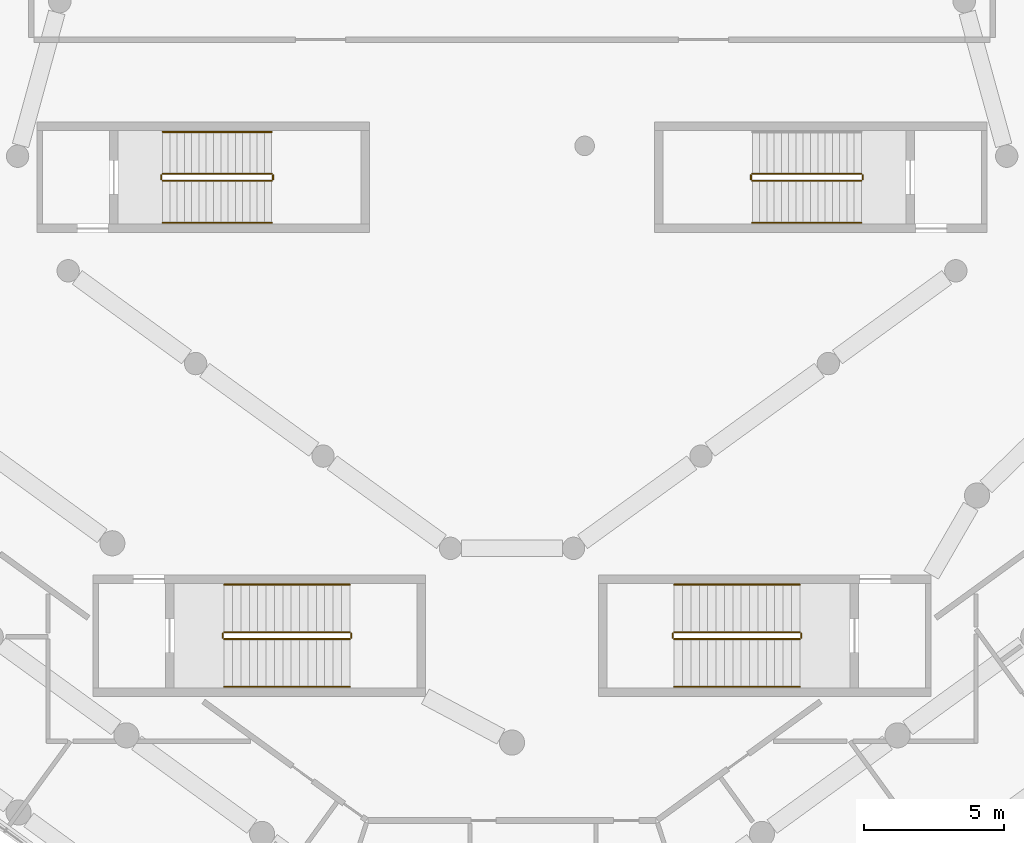
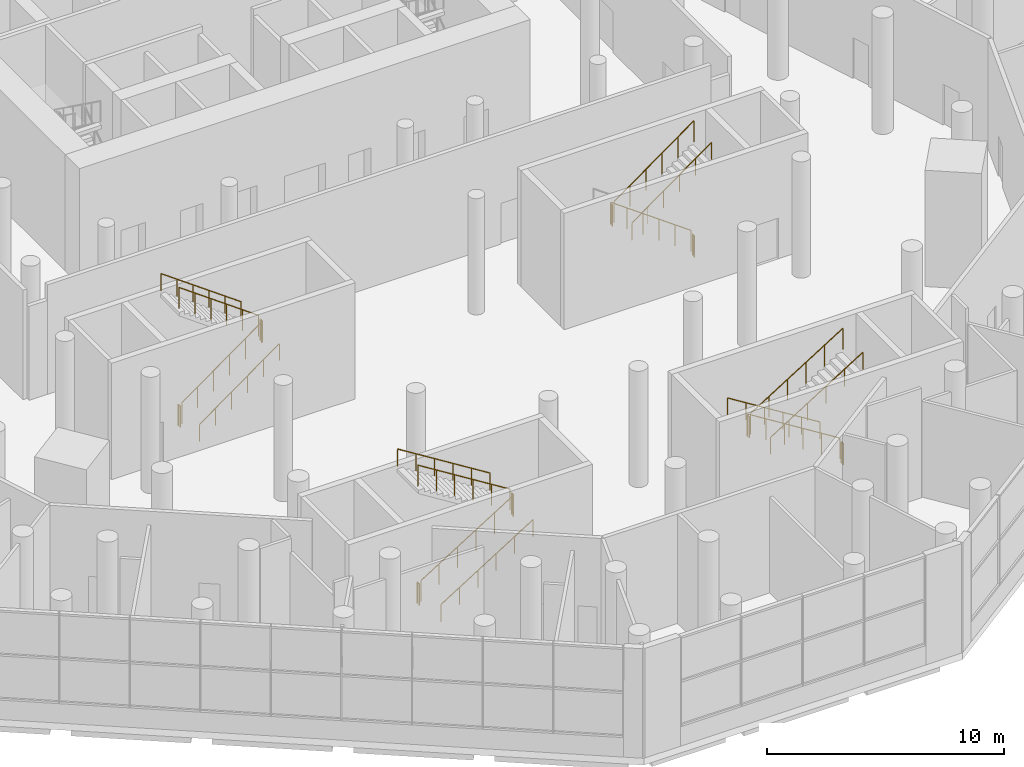
# One storey, part 17 of 19: 23 railings.
"""IFC4 building model written with IfcOpenShell, lengths in metres."""

from ifc_helpers import new_model, si_unit, direction, frame, origin, origin_2d, place, context, subcontext, project, spatial, circle, extrude, material, type_object, element, save


model = new_model("IFC4")

# Units and contexts
model_context = context("Model", 3, precision=1e-05, world=origin(), true_north=direction((0.0, 1.0)))
body_context = subcontext(model_context, "Body", "Model", "MODEL_VIEW")
ifc_project = project(units=[si_unit("LENGTHUNIT", "METRE"), si_unit("AREAUNIT", "SQUARE_METRE"), si_unit("VOLUMEUNIT", "CUBIC_METRE"), si_unit("PLANEANGLEUNIT", "RADIAN"), si_unit("MASSUNIT", "GRAM", prefix="KILO")], contexts=[model_context])

# Site, building, storey
site_placement = place(None, origin())
site = spatial("IfcSite", under=ifc_project, at=site_placement, CompositionType="ELEMENT")
building_placement = place(site_placement, origin())
building = spatial("IfcBuilding", under=site, at=building_placement, Name="White Candle Pilgrim Tower", CompositionType="ELEMENT")
storey_placement = place(building_placement, frame((0.0, 0.0, 23.0)))
storey = spatial("IfcBuildingStorey", under=building, at=storey_placement, Name="L03", CompositionType="ELEMENT", Elevation=23.0)

# Railings
ifc_material = material(Name="Stainless steel", Category="steel")
railing_type_1 = type_object("IfcRailingType", Name="Stair guard stainless steel 1100 mm", PredefinedType="GUARDRAIL", material=ifc_material)
railing_1_placement = place(storey_placement, frame((82.5, 60.0, 0.1875)))
element("IfcRailing", 1, at=railing_1_placement, inside=storey, type_object=railing_type_1, Name="L03 ST4 stair guard 1", PredefinedType="GUARDRAIL", context=body_context, shape_type="SweptSolid", body=[
    extrude(circle(Radius=0.02392578125, at=origin_2d()), frame((0.0, 0.0, 1.076171875), z_axis=(-0.811083382981, 0.0, 0.584930547887), x_axis=(0.0, -1.0, 0.0)), (0.0, 0.0, 1.0), 4.808349609375),
    extrude(circle(Radius=0.02099609375, at=origin_2d()), origin(), (0.0, 0.0, 1.0), 1.052001953125),
    extrude(circle(Radius=0.02099609375, at=origin_2d()), frame((-0.780029296875, 0.0, 0.5625)), (0.0, 0.0, 1.0), 1.052001953125),
    extrude(circle(Radius=0.02099609375, at=origin_2d()), frame((-1.56005859375, 0.0, 1.125)), (0.0, 0.0, 1.0), 1.052001953125),
    extrude(circle(Radius=0.02099609375, at=origin_2d()), frame((-2.33984375, 0.0, 1.6875)), (0.0, 0.0, 1.0), 1.052001953125),
    extrude(circle(Radius=0.02099609375, at=origin_2d()), frame((-3.119873046875, 0.0, 2.25)), (0.0, 0.0, 1.0), 1.052001953125),
    extrude(circle(Radius=0.02099609375, at=origin_2d()), frame((-3.89990234375, 0.0, 2.8125)), (0.0, 0.0, 1.0), 1.052001953125),
])
railing_2_placement = place(storey_placement, frame((78.550048828125, 59.949951171875, 3.0)))
element("IfcRailing", 2, at=railing_2_placement, inside=storey, type_object=railing_type_1, Name="L03 ST4 stair guard 2", PredefinedType="GUARDRAIL", context=body_context, shape_type="SweptSolid", body=[
    extrude(circle(Radius=0.02392578125, at=origin_2d()), frame((0.0, 0.0, 1.076171875), z_axis=(0.0, -1.0, 0.0), x_axis=(1.0, 0.0, 0.0)), (0.0, 0.0, 1.0), 0.14990234375),
    extrude(circle(Radius=0.02099609375, at=origin_2d()), origin(), (0.0, 0.0, 1.0), 1.052001953125),
    extrude(circle(Radius=0.02099609375, at=origin_2d()), frame((0.0, -0.14990234375, 0.0)), (0.0, 0.0, 1.0), 1.052001953125),
])
railing_3_placement = place(storey_placement, frame((78.60009765625, 59.75, 3.1875)))
element("IfcRailing", 3, at=railing_3_placement, inside=storey, type_object=railing_type_1, Name="L03 ST4 stair guard 3", PredefinedType="GUARDRAIL", context=body_context, shape_type="SweptSolid", body=[
    extrude(circle(Radius=0.02392578125, at=origin_2d()), frame((0.0, 0.0, 1.076171875), z_axis=(0.811083382981, 0.0, 0.584930547887), x_axis=(0.0, 1.0, 0.0)), (0.0, 0.0, 1.0), 4.808349609375),
    extrude(circle(Radius=0.02099609375, at=origin_2d()), origin(), (0.0, 0.0, 1.0), 1.052001953125),
    extrude(circle(Radius=0.02099609375, at=origin_2d()), frame((0.780029296875, 0.0, 0.5625)), (0.0, 0.0, 1.0), 1.052001953125),
    extrude(circle(Radius=0.02099609375, at=origin_2d()), frame((1.56005859375, 0.0, 1.125)), (0.0, 0.0, 1.0), 1.052001953125),
    extrude(circle(Radius=0.02099609375, at=origin_2d()), frame((2.33984375, 0.0, 1.6875)), (0.0, 0.0, 1.0), 1.052001953125),
    extrude(circle(Radius=0.02099609375, at=origin_2d()), frame((3.119873046875, 0.0, 2.25)), (0.0, 0.0, 1.0), 1.052001953125),
    extrude(circle(Radius=0.02099609375, at=origin_2d()), frame((3.89990234375, 0.0, 2.8125)), (0.0, 0.0, 1.0), 1.052001953125),
])
railing_4_placement = place(storey_placement, frame((82.550048828125, 59.949951171875, 0.0)))
element("IfcRailing", 4, at=railing_4_placement, inside=storey, type_object=railing_type_1, Name="L03 ST4 stair guard 4", PredefinedType="GUARDRAIL", context=body_context, shape_type="SweptSolid", body=[
    extrude(circle(Radius=0.02392578125, at=origin_2d()), frame((0.0, 0.0, 1.076171875), z_axis=(0.0, -1.0, 0.0), x_axis=(1.0, 0.0, 0.0)), (0.0, 0.0, 1.0), 0.14990234375),
    extrude(circle(Radius=0.02099609375, at=origin_2d()), origin(), (0.0, 0.0, 1.0), 1.052001953125),
    extrude(circle(Radius=0.02099609375, at=origin_2d()), frame((0.0, -0.14990234375, 0.0)), (0.0, 0.0, 1.0), 1.052001953125),
])
railing_5_placement = place(storey_placement, frame((57.5, 59.75, 0.1875)))
element("IfcRailing", 5, at=railing_5_placement, inside=storey, type_object=railing_type_1, Name="L03 ST5 stair guard 1", PredefinedType="GUARDRAIL", context=body_context, shape_type="SweptSolid", body=[
    extrude(circle(Radius=0.02392578125, at=origin_2d()), frame((0.0, 0.0, 1.076171875), z_axis=(0.811083382981, 0.0, 0.584930547887), x_axis=(0.0, 1.0, 0.0)), (0.0, 0.0, 1.0), 4.808349609375),
    extrude(circle(Radius=0.02099609375, at=origin_2d()), origin(), (0.0, 0.0, 1.0), 1.052001953125),
    extrude(circle(Radius=0.02099609375, at=origin_2d()), frame((0.780029296875, 0.0, 0.5625)), (0.0, 0.0, 1.0), 1.052001953125),
    extrude(circle(Radius=0.02099609375, at=origin_2d()), frame((1.56005859375, 0.0, 1.125)), (0.0, 0.0, 1.0), 1.052001953125),
    extrude(circle(Radius=0.02099609375, at=origin_2d()), frame((2.33984375, 0.0, 1.6875)), (0.0, 0.0, 1.0), 1.052001953125),
    extrude(circle(Radius=0.02099609375, at=origin_2d()), frame((3.119873046875, 0.0, 2.25)), (0.0, 0.0, 1.0), 1.052001953125),
    extrude(circle(Radius=0.02099609375, at=origin_2d()), frame((3.89990234375, 0.0, 2.8125)), (0.0, 0.0, 1.0), 1.052001953125),
])
railing_6_placement = place(storey_placement, frame((61.449951171875, 59.800048828125, 3.0)))
element("IfcRailing", 6, at=railing_6_placement, inside=storey, type_object=railing_type_1, Name="L03 ST5 stair guard 2", PredefinedType="GUARDRAIL", context=body_context, shape_type="SweptSolid", body=[
    extrude(circle(Radius=0.02392578125, at=origin_2d()), frame((0.0, 0.0, 1.076171875), z_axis=(0.0, 1.0, 0.0), x_axis=(-1.0, 0.0, 0.0)), (0.0, 0.0, 1.0), 0.14990234375),
    extrude(circle(Radius=0.02099609375, at=origin_2d()), origin(), (0.0, 0.0, 1.0), 1.052001953125),
    extrude(circle(Radius=0.02099609375, at=origin_2d()), frame((0.0, 0.14990234375, 0.0)), (0.0, 0.0, 1.0), 1.052001953125),
])
railing_7_placement = place(storey_placement, frame((61.39990234375, 60.0, 3.1875)))
element("IfcRailing", 7, at=railing_7_placement, inside=storey, type_object=railing_type_1, Name="L03 ST5 stair guard 3", PredefinedType="GUARDRAIL", context=body_context, shape_type="SweptSolid", body=[
    extrude(circle(Radius=0.02392578125, at=origin_2d()), frame((0.0, 0.0, 1.076171875), z_axis=(-0.811083382981, 0.0, 0.584930547887), x_axis=(0.0, -1.0, 0.0)), (0.0, 0.0, 1.0), 4.808349609375),
    extrude(circle(Radius=0.02099609375, at=origin_2d()), origin(), (0.0, 0.0, 1.0), 1.052001953125),
    extrude(circle(Radius=0.02099609375, at=origin_2d()), frame((-0.780029296875, 0.0, 0.5625)), (0.0, 0.0, 1.0), 1.052001953125),
    extrude(circle(Radius=0.02099609375, at=origin_2d()), frame((-1.56005859375, 0.0, 1.125)), (0.0, 0.0, 1.0), 1.052001953125),
    extrude(circle(Radius=0.02099609375, at=origin_2d()), frame((-2.33984375, 0.0, 1.6875)), (0.0, 0.0, 1.0), 1.052001953125),
    extrude(circle(Radius=0.02099609375, at=origin_2d()), frame((-3.119873046875, 0.0, 2.25)), (0.0, 0.0, 1.0), 1.052001953125),
    extrude(circle(Radius=0.02099609375, at=origin_2d()), frame((-3.89990234375, 0.0, 2.8125)), (0.0, 0.0, 1.0), 1.052001953125),
])
railing_8_placement = place(storey_placement, frame((57.449951171875, 59.800048828125, 0.0)))
element("IfcRailing", 8, at=railing_8_placement, inside=storey, type_object=railing_type_1, Name="L03 ST5 stair guard 4", PredefinedType="GUARDRAIL", context=body_context, shape_type="SweptSolid", body=[
    extrude(circle(Radius=0.02392578125, at=origin_2d()), frame((0.0, 0.0, 1.076171875), z_axis=(0.0, 1.0, 0.0), x_axis=(-1.0, 0.0, 0.0)), (0.0, 0.0, 1.0), 0.14990234375),
    extrude(circle(Radius=0.02099609375, at=origin_2d()), origin(), (0.0, 0.0, 1.0), 1.052001953125),
    extrude(circle(Radius=0.02099609375, at=origin_2d()), frame((0.0, 0.14990234375, 0.0)), (0.0, 0.0, 1.0), 1.052001953125),
])
railing_9_placement = place(storey_placement, frame((59.699951171875, 43.35009765625, 0.1875)))
element("IfcRailing", 9, at=railing_9_placement, inside=storey, type_object=railing_type_1, Name="L03 ST6 stair guard 1", PredefinedType="GUARDRAIL", context=body_context, shape_type="SweptSolid", body=[
    extrude(circle(Radius=0.02392578125, at=origin_2d()), frame((0.0, 0.0, 1.076171875), z_axis=(0.847998304005, 0.0, 0.529998940003), x_axis=(0.0, 1.0, 0.0)), (0.0, 0.0, 1.0), 5.306640625),
    extrude(circle(Radius=0.02099609375, at=origin_2d()), origin(), (0.0, 0.0, 1.0), 1.052001953125),
    extrude(circle(Radius=0.02099609375, at=origin_2d()), frame((0.89990234375, 0.0, 0.5625)), (0.0, 0.0, 1.0), 1.052001953125),
    extrude(circle(Radius=0.02099609375, at=origin_2d()), frame((1.800048828125, 0.0, 1.125)), (0.0, 0.0, 1.0), 1.052001953125),
    extrude(circle(Radius=0.02099609375, at=origin_2d()), frame((2.699951171875, 0.0, 1.6875)), (0.0, 0.0, 1.0), 1.052001953125),
    extrude(circle(Radius=0.02099609375, at=origin_2d()), frame((3.60009765625, 0.0, 2.25)), (0.0, 0.0, 1.0), 1.052001953125),
    extrude(circle(Radius=0.02099609375, at=origin_2d()), frame((4.5, 0.0, 2.8125)), (0.0, 0.0, 1.0), 1.052001953125),
])
railing_10_placement = place(storey_placement, frame((64.25, 43.39990234375, 3.0)))
element("IfcRailing", 10, at=railing_10_placement, inside=storey, type_object=railing_type_1, Name="L03 ST6 stair guard 2", PredefinedType="GUARDRAIL", context=body_context, shape_type="SweptSolid", body=[
    extrude(circle(Radius=0.02392578125, at=origin_2d()), frame((0.0, 0.0, 1.076171875), z_axis=(0.0, 1.0, 0.0), x_axis=(-1.0, 0.0, 0.0)), (0.0, 0.0, 1.0), 0.150146484375),
    extrude(circle(Radius=0.02099609375, at=origin_2d()), origin(), (0.0, 0.0, 1.0), 1.052001953125),
    extrude(circle(Radius=0.02099609375, at=origin_2d()), frame((0.0, 0.150146484375, 0.0)), (0.0, 0.0, 1.0), 1.052001953125),
])
railing_11_placement = place(storey_placement, frame((64.199951171875, 43.60009765625, 3.1875)))
element("IfcRailing", 11, at=railing_11_placement, inside=storey, type_object=railing_type_1, Name="L03 ST6 stair guard 3", PredefinedType="GUARDRAIL", context=body_context, shape_type="SweptSolid", body=[
    extrude(circle(Radius=0.02392578125, at=origin_2d()), frame((0.0, 0.0, 1.076171875), z_axis=(-0.847998304005, 0.0, 0.529998940003), x_axis=(0.0, -1.0, 0.0)), (0.0, 0.0, 1.0), 5.306640625),
    extrude(circle(Radius=0.02099609375, at=origin_2d()), origin(), (0.0, 0.0, 1.0), 1.052001953125),
    extrude(circle(Radius=0.02099609375, at=origin_2d()), frame((-0.89990234375, 0.0, 0.5625)), (0.0, 0.0, 1.0), 1.052001953125),
    extrude(circle(Radius=0.02099609375, at=origin_2d()), frame((-1.800048828125, 0.0, 1.125)), (0.0, 0.0, 1.0), 1.052001953125),
    extrude(circle(Radius=0.02099609375, at=origin_2d()), frame((-2.699951171875, 0.0, 1.6875)), (0.0, 0.0, 1.0), 1.052001953125),
    extrude(circle(Radius=0.02099609375, at=origin_2d()), frame((-3.60009765625, 0.0, 2.25)), (0.0, 0.0, 1.0), 1.052001953125),
    extrude(circle(Radius=0.02099609375, at=origin_2d()), frame((-4.5, 0.0, 2.8125)), (0.0, 0.0, 1.0), 1.052001953125),
])
railing_12_placement = place(storey_placement, frame((59.64990234375, 43.39990234375, 0.0)))
element("IfcRailing", 12, at=railing_12_placement, inside=storey, type_object=railing_type_1, Name="L03 ST6 stair guard 4", PredefinedType="GUARDRAIL", context=body_context, shape_type="SweptSolid", body=[
    extrude(circle(Radius=0.02392578125, at=origin_2d()), frame((0.0, 0.0, 1.076171875), z_axis=(0.0, 1.0, 0.0), x_axis=(-1.0, 0.0, 0.0)), (0.0, 0.0, 1.0), 0.150146484375),
    extrude(circle(Radius=0.02099609375, at=origin_2d()), origin(), (0.0, 0.0, 1.0), 1.052001953125),
    extrude(circle(Radius=0.02099609375, at=origin_2d()), frame((0.0, 0.150146484375, 0.0)), (0.0, 0.0, 1.0), 1.052001953125),
])
railing_13_placement = place(storey_placement, frame((80.300048828125, 43.60009765625, 0.1875)))
element("IfcRailing", 13, at=railing_13_placement, inside=storey, type_object=railing_type_1, Name="L03 ST7 stair guard 1", PredefinedType="GUARDRAIL", context=body_context, shape_type="SweptSolid", body=[
    extrude(circle(Radius=0.02392578125, at=origin_2d()), frame((0.0, 0.0, 1.076171875), z_axis=(-0.847998304005, 0.0, 0.529998940003), x_axis=(0.0, -1.0, 0.0)), (0.0, 0.0, 1.0), 5.306640625),
    extrude(circle(Radius=0.02099609375, at=origin_2d()), origin(), (0.0, 0.0, 1.0), 1.052001953125),
    extrude(circle(Radius=0.02099609375, at=origin_2d()), frame((-0.89990234375, 0.0, 0.5625)), (0.0, 0.0, 1.0), 1.052001953125),
    extrude(circle(Radius=0.02099609375, at=origin_2d()), frame((-1.800048828125, 0.0, 1.125)), (0.0, 0.0, 1.0), 1.052001953125),
    extrude(circle(Radius=0.02099609375, at=origin_2d()), frame((-2.699951171875, 0.0, 1.6875)), (0.0, 0.0, 1.0), 1.052001953125),
    extrude(circle(Radius=0.02099609375, at=origin_2d()), frame((-3.60009765625, 0.0, 2.25)), (0.0, 0.0, 1.0), 1.052001953125),
    extrude(circle(Radius=0.02099609375, at=origin_2d()), frame((-4.5, 0.0, 2.8125)), (0.0, 0.0, 1.0), 1.052001953125),
])
railing_14_placement = place(storey_placement, frame((75.75, 43.550048828125, 3.0)))
element("IfcRailing", 14, at=railing_14_placement, inside=storey, type_object=railing_type_1, Name="L03 ST7 stair guard 2", PredefinedType="GUARDRAIL", context=body_context, shape_type="SweptSolid", body=[
    extrude(circle(Radius=0.02392578125, at=origin_2d()), frame((0.0, 0.0, 1.076171875), z_axis=(0.0, -1.0, 0.0), x_axis=(1.0, 0.0, 0.0)), (0.0, 0.0, 1.0), 0.150146484375),
    extrude(circle(Radius=0.02099609375, at=origin_2d()), origin(), (0.0, 0.0, 1.0), 1.052001953125),
    extrude(circle(Radius=0.02099609375, at=origin_2d()), frame((0.0, -0.150146484375, 0.0)), (0.0, 0.0, 1.0), 1.052001953125),
])
railing_15_placement = place(storey_placement, frame((75.800048828125, 43.35009765625, 3.1875)))
element("IfcRailing", 15, at=railing_15_placement, inside=storey, type_object=railing_type_1, Name="L03 ST7 stair guard 3", PredefinedType="GUARDRAIL", context=body_context, shape_type="SweptSolid", body=[
    extrude(circle(Radius=0.02392578125, at=origin_2d()), frame((0.0, 0.0, 1.076171875), z_axis=(0.847998304005, 0.0, 0.529998940003), x_axis=(0.0, 1.0, 0.0)), (0.0, 0.0, 1.0), 5.306640625),
    extrude(circle(Radius=0.02099609375, at=origin_2d()), origin(), (0.0, 0.0, 1.0), 1.052001953125),
    extrude(circle(Radius=0.02099609375, at=origin_2d()), frame((0.89990234375, 0.0, 0.5625)), (0.0, 0.0, 1.0), 1.052001953125),
    extrude(circle(Radius=0.02099609375, at=origin_2d()), frame((1.800048828125, 0.0, 1.125)), (0.0, 0.0, 1.0), 1.052001953125),
    extrude(circle(Radius=0.02099609375, at=origin_2d()), frame((2.699951171875, 0.0, 1.6875)), (0.0, 0.0, 1.0), 1.052001953125),
    extrude(circle(Radius=0.02099609375, at=origin_2d()), frame((3.60009765625, 0.0, 2.25)), (0.0, 0.0, 1.0), 1.052001953125),
    extrude(circle(Radius=0.02099609375, at=origin_2d()), frame((4.5, 0.0, 2.8125)), (0.0, 0.0, 1.0), 1.052001953125),
])
railing_16_placement = place(storey_placement, frame((80.35009765625, 43.550048828125, 0.0)))
element("IfcRailing", 16, at=railing_16_placement, inside=storey, type_object=railing_type_1, Name="L03 ST7 stair guard 4", PredefinedType="GUARDRAIL", context=body_context, shape_type="SweptSolid", body=[
    extrude(circle(Radius=0.02392578125, at=origin_2d()), frame((0.0, 0.0, 1.076171875), z_axis=(0.0, -1.0, 0.0), x_axis=(1.0, 0.0, 0.0)), (0.0, 0.0, 1.0), 0.150146484375),
    extrude(circle(Radius=0.02099609375, at=origin_2d()), origin(), (0.0, 0.0, 1.0), 1.052001953125),
    extrude(circle(Radius=0.02099609375, at=origin_2d()), frame((0.0, -0.150146484375, 0.0)), (0.0, 0.0, 1.0), 1.052001953125),
])
railing_type_2 = type_object("IfcRailingType", Name="Stair handrail stainless steel", PredefinedType="HANDRAIL", material=ifc_material)
for number, where, name in (
    (17, (78.60009765625, 58.25, 3.1875), "L03 ST4 stair handrail 2"),
    (18, (57.5, 58.25, 0.1875), "L03 ST5 stair handrail 1"),
):
    element("IfcRailing", number, at=place(storey_placement, frame(where)), inside=storey, type_object=railing_type_2, Name=name, PredefinedType="HANDRAIL", context=body_context, shape_type="SweptSolid", body=[
        extrude(circle(Radius=0.02392578125, at=origin_2d()), frame((0.0, 0.0, 0.8759765625), z_axis=(0.811083382981, 0.0, 0.584930547887), x_axis=(0.0, 1.0, 0.0)), (0.0, 0.0, 1.0), 4.808349609375),
        extrude(circle(Radius=0.02099609375, at=origin_2d()), origin(), (0.0, 0.0, 1.0), 0.851806640625),
        extrude(circle(Radius=0.02099609375, at=origin_2d()), frame((0.780029296875, 0.0, 0.5625)), (0.0, 0.0, 1.0), 0.851806640625),
        extrude(circle(Radius=0.02099609375, at=origin_2d()), frame((1.56005859375, 0.0, 1.125)), (0.0, 0.0, 1.0), 0.851806640625),
        extrude(circle(Radius=0.02099609375, at=origin_2d()), frame((2.33984375, 0.0, 1.6875)), (0.0, 0.0, 1.0), 0.851806640625),
        extrude(circle(Radius=0.02099609375, at=origin_2d()), frame((3.119873046875, 0.0, 2.25)), (0.0, 0.0, 1.0), 0.851806640625),
        extrude(circle(Radius=0.02099609375, at=origin_2d()), frame((3.89990234375, 0.0, 2.8125)), (0.0, 0.0, 1.0), 0.851806640625),
    ])
railing_17_placement = place(storey_placement, frame((61.39990234375, 61.5, 3.1875)))
element("IfcRailing", 19, at=railing_17_placement, inside=storey, type_object=railing_type_2, Name="L03 ST5 stair handrail 2", PredefinedType="HANDRAIL", context=body_context, shape_type="SweptSolid", body=[
    extrude(circle(Radius=0.02392578125, at=origin_2d()), frame((0.0, 0.0, 0.8759765625), z_axis=(-0.811083382981, 0.0, 0.584930547887), x_axis=(0.0, -1.0, 0.0)), (0.0, 0.0, 1.0), 4.808349609375),
    extrude(circle(Radius=0.02099609375, at=origin_2d()), origin(), (0.0, 0.0, 1.0), 0.851806640625),
    extrude(circle(Radius=0.02099609375, at=origin_2d()), frame((-0.780029296875, 0.0, 0.5625)), (0.0, 0.0, 1.0), 0.851806640625),
    extrude(circle(Radius=0.02099609375, at=origin_2d()), frame((-1.56005859375, 0.0, 1.125)), (0.0, 0.0, 1.0), 0.851806640625),
    extrude(circle(Radius=0.02099609375, at=origin_2d()), frame((-2.33984375, 0.0, 1.6875)), (0.0, 0.0, 1.0), 0.851806640625),
    extrude(circle(Radius=0.02099609375, at=origin_2d()), frame((-3.119873046875, 0.0, 2.25)), (0.0, 0.0, 1.0), 0.851806640625),
    extrude(circle(Radius=0.02099609375, at=origin_2d()), frame((-3.89990234375, 0.0, 2.8125)), (0.0, 0.0, 1.0), 0.851806640625),
])
railing_18_placement = place(storey_placement, frame((59.699951171875, 41.64990234375, 0.1875)))
element("IfcRailing", 20, at=railing_18_placement, inside=storey, type_object=railing_type_2, Name="L03 ST6 stair handrail 1", PredefinedType="HANDRAIL", context=body_context, shape_type="SweptSolid", body=[
    extrude(circle(Radius=0.02392578125, at=origin_2d()), frame((0.0, 0.0, 0.8759765625), z_axis=(0.847998304005, 0.0, 0.529998940003), x_axis=(0.0, 1.0, 0.0)), (0.0, 0.0, 1.0), 5.306640625),
    extrude(circle(Radius=0.02099609375, at=origin_2d()), origin(), (0.0, 0.0, 1.0), 0.851806640625),
    extrude(circle(Radius=0.02099609375, at=origin_2d()), frame((0.89990234375, 0.0, 0.5625)), (0.0, 0.0, 1.0), 0.851806640625),
    extrude(circle(Radius=0.02099609375, at=origin_2d()), frame((1.800048828125, 0.0, 1.125)), (0.0, 0.0, 1.0), 0.851806640625),
    extrude(circle(Radius=0.02099609375, at=origin_2d()), frame((2.699951171875, 0.0, 1.6875)), (0.0, 0.0, 1.0), 0.851806640625),
    extrude(circle(Radius=0.02099609375, at=origin_2d()), frame((3.60009765625, 0.0, 2.25)), (0.0, 0.0, 1.0), 0.851806640625),
    extrude(circle(Radius=0.02099609375, at=origin_2d()), frame((4.5, 0.0, 2.8125)), (0.0, 0.0, 1.0), 0.851806640625),
])
for number, where, name in (
    (21, (64.199951171875, 45.300048828125, 3.1875), "L03 ST6 stair handrail 2"),
    (22, (80.300048828125, 45.300048828125, 0.1875), "L03 ST7 stair handrail 1"),
):
    element("IfcRailing", number, at=place(storey_placement, frame(where)), inside=storey, type_object=railing_type_2, Name=name, PredefinedType="HANDRAIL", context=body_context, shape_type="SweptSolid", body=[
        extrude(circle(Radius=0.02392578125, at=origin_2d()), frame((0.0, 0.0, 0.8759765625), z_axis=(-0.847998304005, 0.0, 0.529998940003), x_axis=(0.0, -1.0, 0.0)), (0.0, 0.0, 1.0), 5.306640625),
        extrude(circle(Radius=0.02099609375, at=origin_2d()), origin(), (0.0, 0.0, 1.0), 0.851806640625),
        extrude(circle(Radius=0.02099609375, at=origin_2d()), frame((-0.89990234375, 0.0, 0.5625)), (0.0, 0.0, 1.0), 0.851806640625),
        extrude(circle(Radius=0.02099609375, at=origin_2d()), frame((-1.800048828125, 0.0, 1.125)), (0.0, 0.0, 1.0), 0.851806640625),
        extrude(circle(Radius=0.02099609375, at=origin_2d()), frame((-2.699951171875, 0.0, 1.6875)), (0.0, 0.0, 1.0), 0.851806640625),
        extrude(circle(Radius=0.02099609375, at=origin_2d()), frame((-3.60009765625, 0.0, 2.25)), (0.0, 0.0, 1.0), 0.851806640625),
        extrude(circle(Radius=0.02099609375, at=origin_2d()), frame((-4.5, 0.0, 2.8125)), (0.0, 0.0, 1.0), 0.851806640625),
    ])
railing_19_placement = place(storey_placement, frame((75.800048828125, 41.64990234375, 3.1875)))
element("IfcRailing", 23, at=railing_19_placement, inside=storey, type_object=railing_type_2, Name="L03 ST7 stair handrail 2", PredefinedType="HANDRAIL", context=body_context, shape_type="SweptSolid", body=[
    extrude(circle(Radius=0.02392578125, at=origin_2d()), frame((0.0, 0.0, 0.8759765625), z_axis=(0.847998304005, 0.0, 0.529998940003), x_axis=(0.0, 1.0, 0.0)), (0.0, 0.0, 1.0), 5.306640625),
    extrude(circle(Radius=0.02099609375, at=origin_2d()), origin(), (0.0, 0.0, 1.0), 0.851806640625),
    extrude(circle(Radius=0.02099609375, at=origin_2d()), frame((0.89990234375, 0.0, 0.5625)), (0.0, 0.0, 1.0), 0.851806640625),
    extrude(circle(Radius=0.02099609375, at=origin_2d()), frame((1.800048828125, 0.0, 1.125)), (0.0, 0.0, 1.0), 0.851806640625),
    extrude(circle(Radius=0.02099609375, at=origin_2d()), frame((2.699951171875, 0.0, 1.6875)), (0.0, 0.0, 1.0), 0.851806640625),
    extrude(circle(Radius=0.02099609375, at=origin_2d()), frame((3.60009765625, 0.0, 2.25)), (0.0, 0.0, 1.0), 0.851806640625),
    extrude(circle(Radius=0.02099609375, at=origin_2d()), frame((4.5, 0.0, 2.8125)), (0.0, 0.0, 1.0), 0.851806640625),
])

save(model, "model.ifc")
